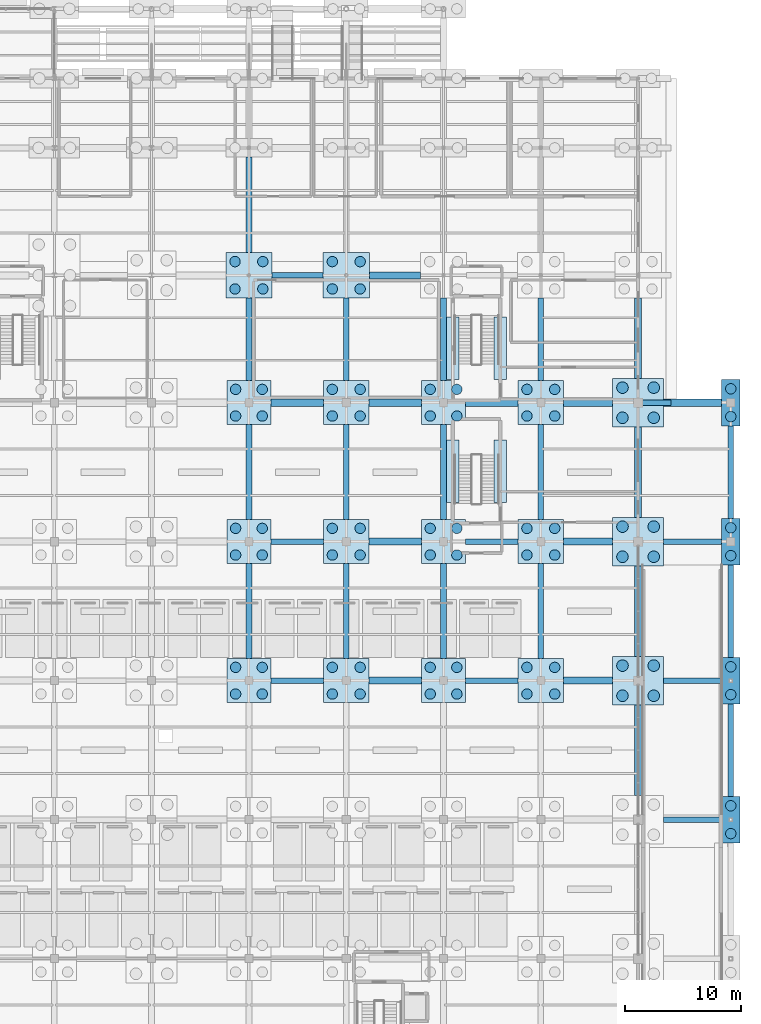
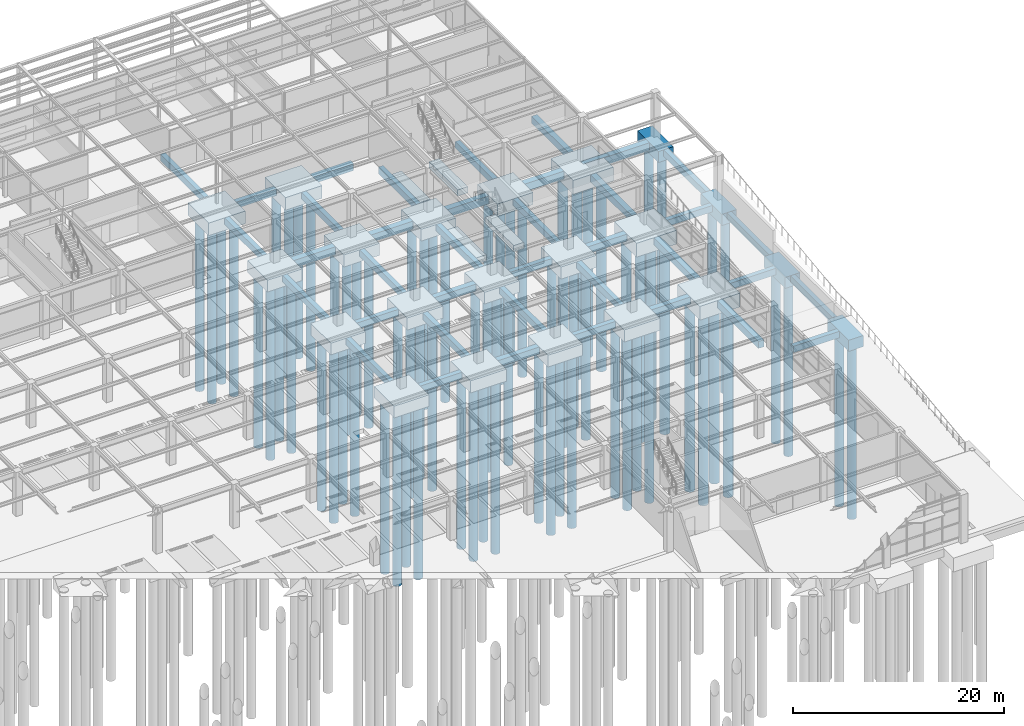
# One storey, part 10 of 129: 76 piles, 64 footings.
"""IFC4 building model written with IfcOpenShell, lengths in metres."""

from ifc_helpers import new_model, si_unit, direction, frame, origin, origin_2d, place, context, subcontext, project, spatial, rectangle, circle, extrude, material, material_profile, profile_set, type_object, element, save


model = new_model("IFC4")

# Units and contexts
model_context = context("Model", 3, precision=1e-05, world=origin(), true_north=direction((0.0, 1.0)))
body_context = subcontext(model_context, "Body", "Model", "MODEL_VIEW")
ifc_project = project(units=[si_unit("LENGTHUNIT", "METRE"), si_unit("AREAUNIT", "SQUARE_METRE"), si_unit("VOLUMEUNIT", "CUBIC_METRE"), si_unit("PLANEANGLEUNIT", "RADIAN"), si_unit("MASSUNIT", "GRAM", prefix="KILO")], contexts=[model_context])

# Site, building, storey
site_placement = place(None, origin())
site = spatial("IfcSite", under=ifc_project, at=site_placement, CompositionType="ELEMENT")
building_placement = place(site_placement, origin())
building = spatial("IfcBuilding", under=site, at=building_placement, Name="Sitalva Quay Ferry Terminal", CompositionType="ELEMENT")
storey_placement = place(building_placement, origin())
storey = spatial("IfcBuildingStorey", under=building, at=storey_placement, Name="L01", CompositionType="ELEMENT", Elevation=0.0)

# Footings
ifc_material_1 = material(Name="Concrete C35/45", Category="concrete")
ifc_material_profile_1 = material_profile(ifc_material_1, rectangle(XDim=0.5, YDim=0.75, at=origin_2d()), Name="RC500x750")
ifc_profile_set_1 = profile_set([ifc_material_profile_1], Name="Concrete C35/45")
footing_type_1 = type_object("IfcFootingType", Name="FootingBeam_500x750", PredefinedType="FOOTING_BEAM", material=ifc_profile_set_1)
footing_1_placement = place(storey_placement, frame((170.199951171875, 42.0, -0.824951171875), z_axis=(1.0, 0.0, 0.0), x_axis=(0.0, 1.0, 0.0)))
element("IfcFooting", 1, at=footing_1_placement, inside=storey, type_object=footing_type_1, Name="Foundation tie beam FBR1-X-079", PredefinedType="FOOTING_BEAM", context=body_context, shape_type="SweptSolid", body=[
    extrude(rectangle(XDim=0.5, YDim=0.75, at=origin_2d()), origin(), (0.0, 0.0, 1.0), 4.989990234375),
])
footing_2_placement = place(storey_placement, frame((136.300048828125, 54.0, -0.824951171875), z_axis=(1.0, 0.0, 0.0), x_axis=(0.0, 1.0, 0.0)))
element("IfcFooting", 2, at=footing_2_placement, inside=storey, type_object=footing_type_1, Name="Foundation tie beam FBR1-X-091", PredefinedType="FOOTING_BEAM", context=body_context, shape_type="SweptSolid", body=[
    extrude(rectangle(XDim=0.5, YDim=0.75, at=origin_2d()), origin(), (0.0, 0.0, 1.0), 4.550048828125),
])
footing_3_placement = place(storey_placement, frame((153.10009765625, 54.0, -0.824951171875), z_axis=(1.0, 0.0, 0.0), x_axis=(0.0, 1.0, 0.0)))
element("IfcFooting", 3, at=footing_3_placement, inside=storey, type_object=footing_type_1, Name="Foundation tie beam FBR1-X-093", PredefinedType="FOOTING_BEAM", context=body_context, shape_type="SweptSolid", body=[
    extrude(rectangle(XDim=0.5, YDim=0.75, at=origin_2d()), origin(), (0.0, 0.0, 1.0), 4.5498046875),
])
footing_4_placement = place(storey_placement, frame((170.199951171875, 54.0, -0.824951171875), z_axis=(1.0, 0.0, 0.0), x_axis=(0.0, 1.0, 0.0)))
element("IfcFooting", 4, at=footing_4_placement, inside=storey, type_object=footing_type_1, Name="Foundation tie beam FBR1-X-095", PredefinedType="FOOTING_BEAM", context=body_context, shape_type="SweptSolid", body=[
    extrude(rectangle(XDim=0.5, YDim=0.75, at=origin_2d()), origin(), (0.0, 0.0, 1.0), 4.989990234375),
])
footing_5_placement = place(storey_placement, frame((136.300048828125, 66.0, -0.824951171875), z_axis=(1.0, 0.0, 0.0), x_axis=(0.0, 1.0, 0.0)))
element("IfcFooting", 5, at=footing_5_placement, inside=storey, type_object=footing_type_1, Name="Foundation tie beam FBR1-X-111", PredefinedType="FOOTING_BEAM", context=body_context, shape_type="SweptSolid", body=[
    extrude(rectangle(XDim=0.5, YDim=0.75, at=origin_2d()), origin(), (0.0, 0.0, 1.0), 4.550048828125),
])
footing_6_placement = place(storey_placement, frame((153.10009765625, 66.0, -0.824951171875), z_axis=(1.0, 0.0, 0.0), x_axis=(0.0, 1.0, 0.0)))
element("IfcFooting", 6, at=footing_6_placement, inside=storey, type_object=footing_type_1, Name="Foundation tie beam FBR1-X-113", PredefinedType="FOOTING_BEAM", context=body_context, shape_type="SweptSolid", body=[
    extrude(rectangle(XDim=0.5, YDim=0.75, at=origin_2d()), origin(), (0.0, 0.0, 1.0), 4.5498046875),
])
footing_7_placement = place(storey_placement, frame((170.199951171875, 66.0, -0.824951171875), z_axis=(1.0, 0.0, 0.0), x_axis=(0.0, 1.0, 0.0)))
element("IfcFooting", 7, at=footing_7_placement, inside=storey, type_object=footing_type_1, Name="Foundation tie beam FBR1-X-115", PredefinedType="FOOTING_BEAM", context=body_context, shape_type="SweptSolid", body=[
    extrude(rectangle(XDim=0.5, YDim=0.75, at=origin_2d()), origin(), (0.0, 0.0, 1.0), 4.989990234375),
])
footing_8_placement = place(storey_placement, frame((136.39990234375, 89.0, -0.824951171875), z_axis=(1.0, 0.0, 0.0), x_axis=(0.0, 1.0, 0.0)))
element("IfcFooting", 8, at=footing_8_placement, inside=storey, type_object=footing_type_1, Name="Foundation tie beam FBR1-X-151", PredefinedType="FOOTING_BEAM", context=body_context, shape_type="SweptSolid", body=[
    extrude(rectangle(XDim=0.5, YDim=0.75, at=origin_2d()), origin(), (0.0, 0.0, 1.0), 4.400146484375),
])
for number, where, z_axis, x_axis, name in (
    (9, (134.39990234375, 55.89990234375, -0.824951171875), (0.0, 1.0, 0.0), (-1.0, 0.0, 0.0), "Foundation tie beam FBR1-Y-355"),
    (10, (134.39990234375, 67.89990234375, -0.824951171875), (0.0, 1.0, 0.0), (-1.0, 0.0, 0.0), "Foundation tie beam FBR1-Y-356"),
):
    element("IfcFooting", number, at=place(storey_placement, frame(where, z_axis=z_axis, x_axis=x_axis)), inside=storey, type_object=footing_type_1, Name=name, PredefinedType="FOOTING_BEAM", context=body_context, shape_type="SweptSolid", body=[
        extrude(rectangle(XDim=0.5, YDim=0.75, at=origin_2d()), origin(), (0.0, 0.0, 1.0), 8.2001953125),
    ])
footing_9_placement = place(storey_placement, frame((134.39990234375, 79.89990234375, -0.824951171875), z_axis=(0.0, 1.0, 0.0), x_axis=(-1.0, 0.0, 0.0)))
element("IfcFooting", 11, at=footing_9_placement, inside=storey, type_object=footing_type_1, Name="Foundation tie beam FBR1-Y-357", PredefinedType="FOOTING_BEAM", context=body_context, shape_type="SweptSolid", body=[
    extrude(rectangle(XDim=0.5, YDim=0.75, at=origin_2d()), origin(), (0.0, 0.0, 1.0), 7.150146484375),
])
footing_10_placement = place(storey_placement, frame((134.39990234375, 90.949951171875, -0.824951171875), z_axis=(0.0, 1.0, 0.0), x_axis=(-1.0, 0.0, 0.0)))
element("IfcFooting", 12, at=footing_10_placement, inside=storey, type_object=footing_type_1, Name="Foundation tie beam FBR1-Y-358", PredefinedType="FOOTING_BEAM", context=body_context, shape_type="SweptSolid", body=[
    extrude(rectangle(XDim=0.5, YDim=0.75, at=origin_2d()), origin(), (0.0, 0.0, 1.0), 8.25),
])
for number, where, z_axis, x_axis, name in (
    (13, (142.800048828125, 55.89990234375, -0.824951171875), (0.0, 1.0, 0.0), (-1.0, 0.0, 0.0), "Foundation tie beam FBR1-Y-365"),
    (14, (142.800048828125, 67.89990234375, -0.824951171875), (0.0, 1.0, 0.0), (-1.0, 0.0, 0.0), "Foundation tie beam FBR1-Y-366"),
):
    element("IfcFooting", number, at=place(storey_placement, frame(where, z_axis=z_axis, x_axis=x_axis)), inside=storey, type_object=footing_type_1, Name=name, PredefinedType="FOOTING_BEAM", context=body_context, shape_type="SweptSolid", body=[
        extrude(rectangle(XDim=0.5, YDim=0.75, at=origin_2d()), origin(), (0.0, 0.0, 1.0), 8.2001953125),
    ])
footing_11_placement = place(storey_placement, frame((142.800048828125, 79.89990234375, -0.824951171875), z_axis=(0.0, 1.0, 0.0), x_axis=(-1.0, 0.0, 0.0)))
element("IfcFooting", 15, at=footing_11_placement, inside=storey, type_object=footing_type_1, Name="Foundation tie beam FBR1-Y-367", PredefinedType="FOOTING_BEAM", context=body_context, shape_type="SweptSolid", body=[
    extrude(rectangle(XDim=0.5, YDim=0.75, at=origin_2d()), origin(), (0.0, 0.0, 1.0), 7.150146484375),
])
for number, where, z_axis, x_axis, name in (
    (16, (151.199951171875, 55.89990234375, -0.824951171875), (0.0, 1.0, 0.0), (-1.0, 0.0, 0.0), "Foundation tie beam FBR1-Y-375"),
    (17, (151.199951171875, 67.89990234375, -0.824951171875), (0.0, 1.0, 0.0), (-1.0, 0.0, 0.0), "Foundation tie beam FBR1-Y-376"),
):
    element("IfcFooting", number, at=place(storey_placement, frame(where, z_axis=z_axis, x_axis=x_axis)), inside=storey, type_object=footing_type_1, Name=name, PredefinedType="FOOTING_BEAM", context=body_context, shape_type="SweptSolid", body=[
        extrude(rectangle(XDim=0.5, YDim=0.75, at=origin_2d()), origin(), (0.0, 0.0, 1.0), 8.2001953125),
    ])
footing_12_placement = place(storey_placement, frame((151.199951171875, 79.89990234375, -0.824951171875), z_axis=(0.0, 1.0, 0.0), x_axis=(-1.0, 0.0, 0.0)))
element("IfcFooting", 18, at=footing_12_placement, inside=storey, type_object=footing_type_1, Name="Foundation tie beam FBR1-Y-377", PredefinedType="FOOTING_BEAM", context=body_context, shape_type="SweptSolid", body=[
    extrude(rectangle(XDim=0.5, YDim=0.75, at=origin_2d()), origin(), (0.0, 0.0, 1.0), 7.150146484375),
])
for number, where, z_axis, x_axis, name in (
    (19, (159.60009765625, 55.89990234375, -0.824951171875), (0.0, 1.0, 0.0), (-1.0, 0.0, 0.0), "Foundation tie beam FBR1-Y-385"),
    (20, (159.60009765625, 67.89990234375, -0.824951171875), (0.0, 1.0, 0.0), (-1.0, 0.0, 0.0), "Foundation tie beam FBR1-Y-386"),
):
    element("IfcFooting", number, at=place(storey_placement, frame(where, z_axis=z_axis, x_axis=x_axis)), inside=storey, type_object=footing_type_1, Name=name, PredefinedType="FOOTING_BEAM", context=body_context, shape_type="SweptSolid", body=[
        extrude(rectangle(XDim=0.5, YDim=0.75, at=origin_2d()), origin(), (0.0, 0.0, 1.0), 8.2001953125),
    ])
footing_13_placement = place(storey_placement, frame((159.60009765625, 79.89990234375, -0.824951171875), z_axis=(0.0, 1.0, 0.0), x_axis=(-1.0, 0.0, 0.0)))
element("IfcFooting", 21, at=footing_13_placement, inside=storey, type_object=footing_type_1, Name="Foundation tie beam FBR1-Y-387", PredefinedType="FOOTING_BEAM", context=body_context, shape_type="SweptSolid", body=[
    extrude(rectangle(XDim=0.5, YDim=0.75, at=origin_2d()), origin(), (0.0, 0.0, 1.0), 7.150146484375),
])
for number, where, z_axis, x_axis, name in (
    (22, (176.0, 44.0, -0.824951171875), (0.0, 1.0, 0.0), (-1.0, 0.0, 0.0), "Foundation tie beam FBR1-Y-402"),
    (23, (176.0, 56.0, -0.824951171875), (0.0, 1.0, 0.0), (-1.0, 0.0, 0.0), "Foundation tie beam FBR1-Y-403"),
    (24, (176.0, 68.0, -0.824951171875), (0.0, 1.0, 0.0), (-1.0, 0.0, 0.0), "Foundation tie beam FBR1-Y-404"),
):
    element("IfcFooting", number, at=place(storey_placement, frame(where, z_axis=z_axis, x_axis=x_axis)), inside=storey, type_object=footing_type_1, Name=name, PredefinedType="FOOTING_BEAM", context=body_context, shape_type="SweptSolid", body=[
        extrude(rectangle(XDim=0.5, YDim=0.75, at=origin_2d()), origin(), (0.0, 0.0, 1.0), 8.0),
    ])
footing_14_placement = place(storey_placement, frame((168.0, 78.0, -0.824951171875), z_axis=(1.0, 0.0, 0.0), x_axis=(0.0, 1.0, 0.0)))
element("IfcFooting", 25, at=footing_14_placement, inside=storey, type_object=footing_type_1, Name="East service walkway tie beam Y=78", PredefinedType="FOOTING_BEAM", context=body_context, shape_type="SweptSolid", body=[
    extrude(rectangle(XDim=0.5, YDim=0.75, at=origin_2d()), origin(), (0.0, 0.0, 1.0), 2.85009765625),
])
ifc_material_2 = material(Name="Concrete C35/45", Category="concrete")
ifc_material_profile_2 = material_profile(ifc_material_2, rectangle(XDim=0.60009765625, YDim=0.800048828125, at=origin_2d()), Name="RC600x800")
ifc_profile_set_2 = profile_set([ifc_material_profile_2], Name="Concrete C35/45")
footing_type_2 = type_object("IfcFootingType", Name="FootingBeam_600x800", PredefinedType="FOOTING_BEAM", material=ifc_profile_set_2)
footing_15_placement = place(storey_placement, frame((144.75, 54.0, -0.85009765625), z_axis=(1.0, 0.0, 0.0), x_axis=(0.0, 1.0, 0.0)))
element("IfcFooting", 26, at=footing_15_placement, inside=storey, type_object=footing_type_2, Name="Foundation tie beam FBR1-X-092", PredefinedType="FOOTING_BEAM", context=body_context, shape_type="SweptSolid", body=[
    extrude(rectangle(XDim=0.60009765625, YDim=0.800048828125, at=origin_2d()), origin(), (0.0, 0.0, 1.0), 4.550048828125),
])
footing_16_placement = place(storey_placement, frame((161.550048828125, 54.0, -0.85009765625), z_axis=(1.0, 0.0, 0.0), x_axis=(0.0, 1.0, 0.0)))
element("IfcFooting", 27, at=footing_16_placement, inside=storey, type_object=footing_type_2, Name="Foundation tie beam FBR1-X-094", PredefinedType="FOOTING_BEAM", context=body_context, shape_type="SweptSolid", body=[
    extrude(rectangle(XDim=0.60009765625, YDim=0.800048828125, at=origin_2d()), origin(), (0.0, 0.0, 1.0), 4.25),
])
footing_17_placement = place(storey_placement, frame((144.75, 66.0, -0.85009765625), z_axis=(1.0, 0.0, 0.0), x_axis=(0.0, 1.0, 0.0)))
element("IfcFooting", 28, at=footing_17_placement, inside=storey, type_object=footing_type_2, Name="Foundation tie beam FBR1-X-112", PredefinedType="FOOTING_BEAM", context=body_context, shape_type="SweptSolid", body=[
    extrude(rectangle(XDim=0.60009765625, YDim=0.800048828125, at=origin_2d()), origin(), (0.0, 0.0, 1.0), 4.550048828125),
])
footing_18_placement = place(storey_placement, frame((161.550048828125, 66.0, -0.85009765625), z_axis=(1.0, 0.0, 0.0), x_axis=(0.0, 1.0, 0.0)))
element("IfcFooting", 29, at=footing_18_placement, inside=storey, type_object=footing_type_2, Name="Foundation tie beam FBR1-X-114", PredefinedType="FOOTING_BEAM", context=body_context, shape_type="SweptSolid", body=[
    extrude(rectangle(XDim=0.60009765625, YDim=0.800048828125, at=origin_2d()), origin(), (0.0, 0.0, 1.0), 4.25),
])
footing_19_placement = place(storey_placement, frame((144.800048828125, 89.0, -0.85009765625), z_axis=(1.0, 0.0, 0.0), x_axis=(0.0, 1.0, 0.0)))
element("IfcFooting", 30, at=footing_19_placement, inside=storey, type_object=footing_type_2, Name="Foundation tie beam FBR1-X-152", PredefinedType="FOOTING_BEAM", context=body_context, shape_type="SweptSolid", body=[
    extrude(rectangle(XDim=0.60009765625, YDim=0.800048828125, at=origin_2d()), origin(), (0.0, 0.0, 1.0), 4.39990234375),
])
for number, where, z_axis, x_axis, name in (
    (31, (168.0, 44.10009765625, -0.85009765625), (0.0, 1.0, 0.0), (-1.0, 0.0, 0.0), "Foundation tie beam FBR1-Y-393"),
    (32, (168.0, 56.10009765625, -0.85009765625), (0.0, 1.0, 0.0), (-1.0, 0.0, 0.0), "Foundation tie beam FBR1-Y-394"),
    (33, (168.0, 68.10009765625, -0.85009765625), (0.0, 1.0, 0.0), (-1.0, 0.0, 0.0), "Foundation tie beam FBR1-Y-395"),
):
    element("IfcFooting", number, at=place(storey_placement, frame(where, z_axis=z_axis, x_axis=x_axis)), inside=storey, type_object=footing_type_2, Name=name, PredefinedType="FOOTING_BEAM", context=body_context, shape_type="SweptSolid", body=[
        extrude(rectangle(XDim=0.60009765625, YDim=0.800048828125, at=origin_2d()), origin(), (0.0, 0.0, 1.0), 7.7998046875),
    ])
footing_20_placement = place(storey_placement, frame((168.0, 80.10009765625, -0.85009765625), z_axis=(0.0, 1.0, 0.0), x_axis=(-1.0, 0.0, 0.0)))
element("IfcFooting", 34, at=footing_20_placement, inside=storey, type_object=footing_type_2, Name="Foundation tie beam FBR1-Y-396", PredefinedType="FOOTING_BEAM", context=body_context, shape_type="SweptSolid", body=[
    extrude(rectangle(XDim=0.60009765625, YDim=0.800048828125, at=origin_2d()), origin(), (0.0, 0.0, 1.0), 6.949951171875),
])
ifc_material_3 = material(Name="Concrete C35/45", Category="concrete")
ifc_material_profile_3 = material_profile(ifc_material_3, rectangle(XDim=0.64990234375, YDim=0.89990234375, at=origin_2d()), Name="RC650x900")
ifc_profile_set_3 = profile_set([ifc_material_profile_3], Name="Concrete C35/45")
footing_type_3 = type_object("IfcFootingType", Name="FootingBeam_650x900", PredefinedType="FOOTING_BEAM", material=ifc_profile_set_3)
for number, where, z_axis, x_axis, name in (
    (35, (136.300048828125, 78.0, -0.89990234375), (1.0, 0.0, 0.0), (0.0, 1.0, 0.0), "Foundation tie beam FBR1-X-131"),
    (36, (144.75, 78.0, -0.89990234375), (1.0, 0.0, 0.0), (0.0, 1.0, 0.0), "Foundation tie beam FBR1-X-132"),
):
    element("IfcFooting", number, at=place(storey_placement, frame(where, z_axis=z_axis, x_axis=x_axis)), inside=storey, type_object=footing_type_3, Name=name, PredefinedType="FOOTING_BEAM", context=body_context, shape_type="SweptSolid", body=[
        extrude(rectangle(XDim=0.64990234375, YDim=0.89990234375, at=origin_2d()), origin(), (0.0, 0.0, 1.0), 4.550048828125),
    ])
footing_21_placement = place(storey_placement, frame((153.10009765625, 78.0, -0.89990234375), z_axis=(1.0, 0.0, 0.0), x_axis=(0.0, 1.0, 0.0)))
element("IfcFooting", 37, at=footing_21_placement, inside=storey, type_object=footing_type_3, Name="Foundation tie beam FBR1-X-133", PredefinedType="FOOTING_BEAM", context=body_context, shape_type="SweptSolid", body=[
    extrude(rectangle(XDim=0.64990234375, YDim=0.89990234375, at=origin_2d()), origin(), (0.0, 0.0, 1.0), 4.5498046875),
])
footing_22_placement = place(storey_placement, frame((161.550048828125, 78.0, -0.89990234375), z_axis=(1.0, 0.0, 0.0), x_axis=(0.0, 1.0, 0.0)))
element("IfcFooting", 38, at=footing_22_placement, inside=storey, type_object=footing_type_3, Name="Foundation tie beam FBR1-X-134", PredefinedType="FOOTING_BEAM", context=body_context, shape_type="SweptSolid", body=[
    extrude(rectangle(XDim=0.64990234375, YDim=0.89990234375, at=origin_2d()), origin(), (0.0, 0.0, 1.0), 4.25),
])
footing_23_placement = place(storey_placement, frame((170.199951171875, 78.0, -0.89990234375), z_axis=(1.0, 0.0, 0.0), x_axis=(0.0, 1.0, 0.0)))
element("IfcFooting", 39, at=footing_23_placement, inside=storey, type_object=footing_type_3, Name="Foundation tie beam FBR1-X-135", PredefinedType="FOOTING_BEAM", context=body_context, shape_type="SweptSolid", body=[
    extrude(rectangle(XDim=0.64990234375, YDim=0.89990234375, at=origin_2d()), origin(), (0.0, 0.0, 1.0), 4.989990234375),
])
ifc_material_4 = material(Name="Concrete C35/45", Category="concrete")
footing_type_4 = type_object("IfcFootingType", Name="PileCap_2P_D900_Y2", PredefinedType="PILE_CAP", material=ifc_material_4)
for number, where, z_axis, x_axis, name in (
    (40, (176.0, 42.0, -1.72998046875), (0.0, 0.0, 1.0), (1.0, 0.0, 0.0), "Pile cap PC-16 at 22F"),
    (41, (176.0, 54.0, -1.72998046875), (0.0, 0.0, 1.0), (1.0, 0.0, 0.0), "Pile cap PC-16 at 22G"),
    (42, (176.0, 66.0, -1.72998046875), (0.0, 0.0, 1.0), (1.0, 0.0, 0.0), "Pile cap PC-16 at 22H"),
    (43, (176.0, 78.0, -1.72998046875), (0.0, 0.0, 1.0), (1.0, 0.0, 0.0), "Pile cap PC-16 at 22J"),
):
    element("IfcFooting", number, at=place(storey_placement, frame(where, z_axis=z_axis, x_axis=x_axis)), inside=storey, type_object=footing_type_4, Name=name, PredefinedType="PILE_CAP", context=body_context, shape_type="SweptSolid", body=[
        extrude(rectangle(XDim=1.6201171875, YDim=4.0, at=origin_2d()), origin(), (0.0, 0.0, 1.0), 1.280029296875),
    ])
ifc_material_5 = material(Name="Concrete C35/45", Category="concrete")
footing_type_5 = type_object("IfcFootingType", Name="PileCap_4P_D1000_C", PredefinedType="PILE_CAP", material=ifc_material_5)
for number, where, z_axis, x_axis, name in (
    (44, (168.0, 54.0, -2.050048828125), (0.0, 0.0, 1.0), (1.0, 0.0, 0.0), "Pile cap PC-05 at 21G"),
    (45, (168.0, 66.0, -2.050048828125), (0.0, 0.0, 1.0), (1.0, 0.0, 0.0), "Pile cap PC-05 at 21H"),
    (46, (168.0, 78.0, -2.050048828125), (0.0, 0.0, 1.0), (1.0, 0.0, 0.0), "Pile cap PC-05 at 21J"),
):
    element("IfcFooting", number, at=place(storey_placement, frame(where, z_axis=z_axis, x_axis=x_axis)), inside=storey, type_object=footing_type_5, Name=name, PredefinedType="PILE_CAP", context=body_context, shape_type="SweptSolid", body=[
        extrude(rectangle(XDim=4.39990234375, YDim=4.199951171875, at=origin_2d()), origin(), (0.0, 0.0, 1.0), 1.60009765625),
    ])
ifc_material_6 = material(Name="Concrete C35/45", Category="concrete")
footing_type_6 = type_object("IfcFootingType", Name="PileCap_4P_D900_A", PredefinedType="PILE_CAP", material=ifc_material_6)
for number, where, z_axis, x_axis, name in (
    (47, (134.39990234375, 54.0, -1.800048828125), (0.0, 0.0, 1.0), (1.0, 0.0, 0.0), "Pile cap PC-07 at 17G"),
    (48, (151.199951171875, 54.0, -1.800048828125), (0.0, 0.0, 1.0), (1.0, 0.0, 0.0), "Pile cap PC-07 at 19G"),
    (49, (134.39990234375, 66.0, -1.800048828125), (0.0, 0.0, 1.0), (1.0, 0.0, 0.0), "Pile cap PC-07 at 17H"),
    (50, (151.199951171875, 66.0, -1.800048828125), (0.0, 0.0, 1.0), (1.0, 0.0, 0.0), "Pile cap PC-07 at 19H"),
    (51, (134.39990234375, 78.0, -1.800048828125), (0.0, 0.0, 1.0), (1.0, 0.0, 0.0), "Pile cap PC-07 at 17J"),
    (52, (151.199951171875, 78.0, -1.800048828125), (0.0, 0.0, 1.0), (1.0, 0.0, 0.0), "Pile cap PC-07 at 19J"),
):
    element("IfcFooting", number, at=place(storey_placement, frame(where, z_axis=z_axis, x_axis=x_axis)), inside=storey, type_object=footing_type_6, Name=name, PredefinedType="PILE_CAP", context=body_context, shape_type="SweptSolid", body=[
        extrude(rectangle(XDim=3.800048828125, YDim=3.800048828125, at=origin_2d()), origin(), (0.0, 0.0, 1.0), 1.35009765625),
    ])
ifc_material_7 = material(Name="Concrete C35/45", Category="concrete")
footing_type_7 = type_object("IfcFootingType", Name="PileCap_4P_D900_B", PredefinedType="PILE_CAP", material=ifc_material_7)
for number, where, z_axis, x_axis, name in (
    (53, (142.800048828125, 54.0, -1.849853515625), (0.0, 0.0, 1.0), (1.0, 0.0, 0.0), "Pile cap PC-08 at 18G"),
    (54, (159.60009765625, 54.0, -1.849853515625), (0.0, 0.0, 1.0), (1.0, 0.0, 0.0), "Pile cap PC-08 at 20G"),
    (55, (142.800048828125, 66.0, -1.849853515625), (0.0, 0.0, 1.0), (1.0, 0.0, 0.0), "Pile cap PC-08 at 18H"),
    (56, (159.60009765625, 66.0, -1.849853515625), (0.0, 0.0, 1.0), (1.0, 0.0, 0.0), "Pile cap PC-08 at 20H"),
    (57, (142.800048828125, 78.0, -1.849853515625), (0.0, 0.0, 1.0), (1.0, 0.0, 0.0), "Pile cap PC-08 at 18J"),
    (58, (159.60009765625, 78.0, -1.849853515625), (0.0, 0.0, 1.0), (1.0, 0.0, 0.0), "Pile cap PC-08 at 20J"),
):
    element("IfcFooting", number, at=place(storey_placement, frame(where, z_axis=z_axis, x_axis=x_axis)), inside=storey, type_object=footing_type_7, Name=name, PredefinedType="PILE_CAP", context=body_context, shape_type="SweptSolid", body=[
        extrude(rectangle(XDim=3.89990234375, YDim=3.800048828125, at=origin_2d()), origin(), (0.0, 0.0, 1.0), 1.39990234375),
    ])
ifc_material_8 = material(Name="Concrete C35/45", Category="concrete")
footing_type_8 = type_object("IfcFootingType", Name="PileCap_4P_D900_C", PredefinedType="PILE_CAP", material=ifc_material_8)
for number, where, z_axis, x_axis, name in (
    (59, (134.39990234375, 89.0, -1.89990234375), (0.0, 0.0, 1.0), (1.0, 0.0, 0.0), "Pile cap PC-09 at 17K"),
    (60, (142.800048828125, 89.0, -1.89990234375), (0.0, 0.0, 1.0), (1.0, 0.0, 0.0), "Pile cap PC-09 at 18K"),
):
    element("IfcFooting", number, at=place(storey_placement, frame(where, z_axis=z_axis, x_axis=x_axis)), inside=storey, type_object=footing_type_8, Name=name, PredefinedType="PILE_CAP", context=body_context, shape_type="SweptSolid", body=[
        extrude(rectangle(XDim=4.0, YDim=3.89990234375, at=origin_2d()), origin(), (0.0, 0.0, 1.0), 1.449951171875),
    ])

# Piles
ifc_material_9 = material(Name="Concrete C35/45", Category="concrete")
ifc_material_profile_4 = material_profile(ifc_material_9, circle(Radius=0.5, at=origin_2d()), Name="PILE-D1000")
ifc_profile_set_4 = profile_set([ifc_material_profile_4], Name="Concrete C35/45")
pile_type_1 = type_object("IfcPileType", Name="Pile_Bored_D1000", PredefinedType="BORED", material=ifc_profile_set_4)
for number, where, z_axis, x_axis, name in (
    (61, (166.64990234375, 52.699951171875, -1.949951171875), (0.0, 0.0, -1.0), (1.0, 0.0, 0.0), "Bored pile 21G-P1"),
    (62, (169.35009765625, 52.699951171875, -1.949951171875), (0.0, 0.0, -1.0), (1.0, 0.0, 0.0), "Bored pile 21G-P2"),
    (63, (166.64990234375, 55.300048828125, -1.949951171875), (0.0, 0.0, -1.0), (1.0, 0.0, 0.0), "Bored pile 21G-P3"),
    (64, (169.35009765625, 55.300048828125, -1.949951171875), (0.0, 0.0, -1.0), (1.0, 0.0, 0.0), "Bored pile 21G-P4"),
    (65, (166.64990234375, 64.699951171875, -1.949951171875), (0.0, 0.0, -1.0), (1.0, 0.0, 0.0), "Bored pile 21H-P1"),
    (66, (169.35009765625, 64.699951171875, -1.949951171875), (0.0, 0.0, -1.0), (1.0, 0.0, 0.0), "Bored pile 21H-P2"),
    (67, (166.64990234375, 67.300048828125, -1.949951171875), (0.0, 0.0, -1.0), (1.0, 0.0, 0.0), "Bored pile 21H-P3"),
    (68, (169.35009765625, 67.300048828125, -1.949951171875), (0.0, 0.0, -1.0), (1.0, 0.0, 0.0), "Bored pile 21H-P4"),
    (69, (166.64990234375, 76.699951171875, -1.949951171875), (0.0, 0.0, -1.0), (1.0, 0.0, 0.0), "Bored pile 21J-P1"),
    (70, (169.35009765625, 76.699951171875, -1.949951171875), (0.0, 0.0, -1.0), (1.0, 0.0, 0.0), "Bored pile 21J-P2"),
    (71, (166.64990234375, 79.300048828125, -1.949951171875), (0.0, 0.0, -1.0), (1.0, 0.0, 0.0), "Bored pile 21J-P3"),
    (72, (169.35009765625, 79.300048828125, -1.949951171875), (0.0, 0.0, -1.0), (1.0, 0.0, 0.0), "Bored pile 21J-P4"),
):
    element("IfcPile", number, at=place(storey_placement, frame(where, z_axis=z_axis, x_axis=x_axis)), inside=storey, type_object=pile_type_1, Name=name, PredefinedType="BORED", context=body_context, shape_type="SweptSolid", body=[
        extrude(circle(Radius=0.5, at=origin_2d()), origin(), (0.0, 0.0, 1.0), 22.0),
    ])
ifc_material_10 = material(Name="Concrete C35/45", Category="concrete")
ifc_material_profile_5 = material_profile(ifc_material_10, circle(Radius=0.449951171875, at=origin_2d()), Name="PILE-D900")
ifc_profile_set_5 = profile_set([ifc_material_profile_5], Name="Concrete C35/45")
pile_type_2 = type_object("IfcPileType", Name="Pile_Bored_D900", PredefinedType="BORED", material=ifc_profile_set_5)
for number, where, z_axis, x_axis, name in (
    (73, (176.0, 40.800048828125, -1.6298828125), (0.0, 0.0, -1.0), (1.0, 0.0, 0.0), "Bored pile 22F-P1"),
    (74, (176.0, 43.199951171875, -1.6298828125), (0.0, 0.0, -1.0), (1.0, 0.0, 0.0), "Bored pile 22F-P2"),
    (75, (133.25, 52.85009765625, -1.699951171875), (0.0, 0.0, -1.0), (1.0, 0.0, 0.0), "Bored pile 17G-P1"),
    (76, (135.550048828125, 52.85009765625, -1.699951171875), (0.0, 0.0, -1.0), (1.0, 0.0, 0.0), "Bored pile 17G-P2"),
    (77, (133.25, 55.14990234375, -1.699951171875), (0.0, 0.0, -1.0), (1.0, 0.0, 0.0), "Bored pile 17G-P3"),
    (78, (135.550048828125, 55.14990234375, -1.699951171875), (0.0, 0.0, -1.0), (1.0, 0.0, 0.0), "Bored pile 17G-P4"),
    (79, (141.60009765625, 52.85009765625, -1.75), (0.0, 0.0, -1.0), (1.0, 0.0, 0.0), "Bored pile 18G-P1"),
    (80, (144.0, 52.85009765625, -1.75), (0.0, 0.0, -1.0), (1.0, 0.0, 0.0), "Bored pile 18G-P2"),
    (81, (141.60009765625, 55.14990234375, -1.75), (0.0, 0.0, -1.0), (1.0, 0.0, 0.0), "Bored pile 18G-P3"),
    (82, (144.0, 55.14990234375, -1.75), (0.0, 0.0, -1.0), (1.0, 0.0, 0.0), "Bored pile 18G-P4"),
    (83, (150.050048828125, 52.85009765625, -1.699951171875), (0.0, 0.0, -1.0), (1.0, 0.0, 0.0), "Bored pile 19G-P1"),
    (84, (152.35009765625, 52.85009765625, -1.699951171875), (0.0, 0.0, -1.0), (1.0, 0.0, 0.0), "Bored pile 19G-P2"),
    (85, (150.050048828125, 55.14990234375, -1.699951171875), (0.0, 0.0, -1.0), (1.0, 0.0, 0.0), "Bored pile 19G-P3"),
    (86, (152.35009765625, 55.14990234375, -1.699951171875), (0.0, 0.0, -1.0), (1.0, 0.0, 0.0), "Bored pile 19G-P4"),
    (87, (158.39990234375, 52.85009765625, -1.75), (0.0, 0.0, -1.0), (1.0, 0.0, 0.0), "Bored pile 20G-P1"),
    (88, (160.800048828125, 52.85009765625, -1.75), (0.0, 0.0, -1.0), (1.0, 0.0, 0.0), "Bored pile 20G-P2"),
    (89, (158.39990234375, 55.14990234375, -1.75), (0.0, 0.0, -1.0), (1.0, 0.0, 0.0), "Bored pile 20G-P3"),
    (90, (160.800048828125, 55.14990234375, -1.75), (0.0, 0.0, -1.0), (1.0, 0.0, 0.0), "Bored pile 20G-P4"),
    (91, (176.0, 52.800048828125, -1.6298828125), (0.0, 0.0, -1.0), (1.0, 0.0, 0.0), "Bored pile 22G-P1"),
    (92, (176.0, 55.199951171875, -1.6298828125), (0.0, 0.0, -1.0), (1.0, 0.0, 0.0), "Bored pile 22G-P2"),
    (93, (133.25, 64.85009765625, -1.699951171875), (0.0, 0.0, -1.0), (1.0, 0.0, 0.0), "Bored pile 17H-P1"),
    (94, (135.550048828125, 64.85009765625, -1.699951171875), (0.0, 0.0, -1.0), (1.0, 0.0, 0.0), "Bored pile 17H-P2"),
    (95, (133.25, 67.14990234375, -1.699951171875), (0.0, 0.0, -1.0), (1.0, 0.0, 0.0), "Bored pile 17H-P3"),
    (96, (135.550048828125, 67.14990234375, -1.699951171875), (0.0, 0.0, -1.0), (1.0, 0.0, 0.0), "Bored pile 17H-P4"),
    (97, (141.60009765625, 64.85009765625, -1.75), (0.0, 0.0, -1.0), (1.0, 0.0, 0.0), "Bored pile 18H-P1"),
    (98, (144.0, 64.85009765625, -1.75), (0.0, 0.0, -1.0), (1.0, 0.0, 0.0), "Bored pile 18H-P2"),
    (99, (141.60009765625, 67.14990234375, -1.75), (0.0, 0.0, -1.0), (1.0, 0.0, 0.0), "Bored pile 18H-P3"),
    (100, (144.0, 67.14990234375, -1.75), (0.0, 0.0, -1.0), (1.0, 0.0, 0.0), "Bored pile 18H-P4"),
    (101, (150.050048828125, 64.85009765625, -1.699951171875), (0.0, 0.0, -1.0), (1.0, 0.0, 0.0), "Bored pile 19H-P1"),
    (102, (152.35009765625, 64.85009765625, -1.699951171875), (0.0, 0.0, -1.0), (1.0, 0.0, 0.0), "Bored pile 19H-P2"),
    (103, (150.050048828125, 67.14990234375, -1.699951171875), (0.0, 0.0, -1.0), (1.0, 0.0, 0.0), "Bored pile 19H-P3"),
    (104, (152.35009765625, 67.14990234375, -1.699951171875), (0.0, 0.0, -1.0), (1.0, 0.0, 0.0), "Bored pile 19H-P4"),
    (105, (158.39990234375, 64.85009765625, -1.75), (0.0, 0.0, -1.0), (1.0, 0.0, 0.0), "Bored pile 20H-P1"),
    (106, (160.800048828125, 64.85009765625, -1.75), (0.0, 0.0, -1.0), (1.0, 0.0, 0.0), "Bored pile 20H-P2"),
    (107, (158.39990234375, 67.14990234375, -1.75), (0.0, 0.0, -1.0), (1.0, 0.0, 0.0), "Bored pile 20H-P3"),
    (108, (160.800048828125, 67.14990234375, -1.75), (0.0, 0.0, -1.0), (1.0, 0.0, 0.0), "Bored pile 20H-P4"),
    (109, (176.0, 64.800048828125, -1.6298828125), (0.0, 0.0, -1.0), (1.0, 0.0, 0.0), "Bored pile 22H-P1"),
    (110, (176.0, 67.199951171875, -1.6298828125), (0.0, 0.0, -1.0), (1.0, 0.0, 0.0), "Bored pile 22H-P2"),
    (111, (133.25, 76.85009765625, -1.699951171875), (0.0, 0.0, -1.0), (1.0, 0.0, 0.0), "Bored pile 17J-P1"),
    (112, (135.550048828125, 76.85009765625, -1.699951171875), (0.0, 0.0, -1.0), (1.0, 0.0, 0.0), "Bored pile 17J-P2"),
    (113, (133.25, 79.14990234375, -1.699951171875), (0.0, 0.0, -1.0), (1.0, 0.0, 0.0), "Bored pile 17J-P3"),
    (114, (135.550048828125, 79.14990234375, -1.699951171875), (0.0, 0.0, -1.0), (1.0, 0.0, 0.0), "Bored pile 17J-P4"),
    (115, (141.60009765625, 76.85009765625, -1.75), (0.0, 0.0, -1.0), (1.0, 0.0, 0.0), "Bored pile 18J-P1"),
    (116, (144.0, 76.85009765625, -1.75), (0.0, 0.0, -1.0), (1.0, 0.0, 0.0), "Bored pile 18J-P2"),
    (117, (141.60009765625, 79.14990234375, -1.75), (0.0, 0.0, -1.0), (1.0, 0.0, 0.0), "Bored pile 18J-P3"),
    (118, (144.0, 79.14990234375, -1.75), (0.0, 0.0, -1.0), (1.0, 0.0, 0.0), "Bored pile 18J-P4"),
    (119, (150.050048828125, 76.85009765625, -1.699951171875), (0.0, 0.0, -1.0), (1.0, 0.0, 0.0), "Bored pile 19J-P1"),
    (120, (152.35009765625, 76.85009765625, -1.699951171875), (0.0, 0.0, -1.0), (1.0, 0.0, 0.0), "Bored pile 19J-P2"),
    (121, (150.050048828125, 79.14990234375, -1.699951171875), (0.0, 0.0, -1.0), (1.0, 0.0, 0.0), "Bored pile 19J-P3"),
    (122, (152.35009765625, 79.14990234375, -1.699951171875), (0.0, 0.0, -1.0), (1.0, 0.0, 0.0), "Bored pile 19J-P4"),
    (123, (158.39990234375, 76.85009765625, -1.75), (0.0, 0.0, -1.0), (1.0, 0.0, 0.0), "Bored pile 20J-P1"),
    (124, (160.800048828125, 76.85009765625, -1.75), (0.0, 0.0, -1.0), (1.0, 0.0, 0.0), "Bored pile 20J-P2"),
    (125, (158.39990234375, 79.14990234375, -1.75), (0.0, 0.0, -1.0), (1.0, 0.0, 0.0), "Bored pile 20J-P3"),
    (126, (160.800048828125, 79.14990234375, -1.75), (0.0, 0.0, -1.0), (1.0, 0.0, 0.0), "Bored pile 20J-P4"),
    (127, (176.0, 76.800048828125, -1.6298828125), (0.0, 0.0, -1.0), (1.0, 0.0, 0.0), "Bored pile 22J-P1"),
    (128, (176.0, 79.199951171875, -1.6298828125), (0.0, 0.0, -1.0), (1.0, 0.0, 0.0), "Bored pile 22J-P2"),
    (129, (133.199951171875, 87.820068359375, -1.800048828125), (0.0, 0.0, -1.0), (1.0, 0.0, 0.0), "Bored pile 17K-P1"),
    (130, (135.60009765625, 87.820068359375, -1.800048828125), (0.0, 0.0, -1.0), (1.0, 0.0, 0.0), "Bored pile 17K-P2"),
    (131, (133.199951171875, 90.179931640625, -1.800048828125), (0.0, 0.0, -1.0), (1.0, 0.0, 0.0), "Bored pile 17K-P3"),
    (132, (135.60009765625, 90.179931640625, -1.800048828125), (0.0, 0.0, -1.0), (1.0, 0.0, 0.0), "Bored pile 17K-P4"),
    (133, (141.60009765625, 87.820068359375, -1.800048828125), (0.0, 0.0, -1.0), (1.0, 0.0, 0.0), "Bored pile 18K-P1"),
    (134, (144.0, 87.820068359375, -1.800048828125), (0.0, 0.0, -1.0), (1.0, 0.0, 0.0), "Bored pile 18K-P2"),
    (135, (141.60009765625, 90.179931640625, -1.800048828125), (0.0, 0.0, -1.0), (1.0, 0.0, 0.0), "Bored pile 18K-P3"),
    (136, (144.0, 90.179931640625, -1.800048828125), (0.0, 0.0, -1.0), (1.0, 0.0, 0.0), "Bored pile 18K-P4"),
):
    element("IfcPile", number, at=place(storey_placement, frame(where, z_axis=z_axis, x_axis=x_axis)), inside=storey, type_object=pile_type_2, Name=name, PredefinedType="BORED", context=body_context, shape_type="SweptSolid", body=[
        extrude(circle(Radius=0.449951171875, at=origin_2d()), origin(), (0.0, 0.0, 1.0), 20.0),
    ])

# Footings
ifc_material_11 = material(Name="Concrete C35/45", Category="concrete")
ifc_material_profile_6 = material_profile(ifc_material_11, rectangle(XDim=1.10009765625, YDim=0.699951171875, at=origin_2d()), Name="RC1100x700")
ifc_profile_set_6 = profile_set([ifc_material_profile_6], Name="Concrete C35/45")
footing_type_9 = type_object("IfcFootingType", Name="StripFooting_1100x700", PredefinedType="STRIP_FOOTING", material=ifc_profile_set_6)
for number, where, z_axis, x_axis, name in (
    (137, (152.0, 69.39990234375, -0.800048828125), (0.0, 1.0, 0.0), (-1.0, 0.0, 0.0), "Core C9 west shear wall strip footing"),
    (138, (156.10009765625, 69.39990234375, -0.800048828125), (0.0, 1.0, 0.0), (-1.0, 0.0, 0.0), "Core C9 east shear wall strip footing"),
):
    element("IfcFooting", number, at=place(storey_placement, frame(where, z_axis=z_axis, x_axis=x_axis)), inside=storey, type_object=footing_type_9, Name=name, PredefinedType="STRIP_FOOTING", context=body_context, shape_type="SweptSolid", body=[
        extrude(rectangle(XDim=1.10009765625, YDim=0.699951171875, at=origin_2d()), origin(), (0.0, 0.0, 1.0), 5.400146484375),
    ])
for number, where, z_axis, x_axis, name in (
    (139, (152.0, 80.0, -0.800048828125), (0.0, 1.0, 0.0), (-1.0, 0.0, 0.0), "Core C10 west shear wall strip footing"),
    (140, (156.10009765625, 80.0, -0.800048828125), (0.0, 1.0, 0.0), (-1.0, 0.0, 0.0), "Core C10 east shear wall strip footing"),
):
    element("IfcFooting", number, at=place(storey_placement, frame(where, z_axis=z_axis, x_axis=x_axis)), inside=storey, type_object=footing_type_9, Name=name, PredefinedType="STRIP_FOOTING", context=body_context, shape_type="SweptSolid", body=[
        extrude(rectangle(XDim=1.10009765625, YDim=0.699951171875, at=origin_2d()), origin(), (0.0, 0.0, 1.0), 5.39990234375),
    ])

save(model, "model.ifc")
